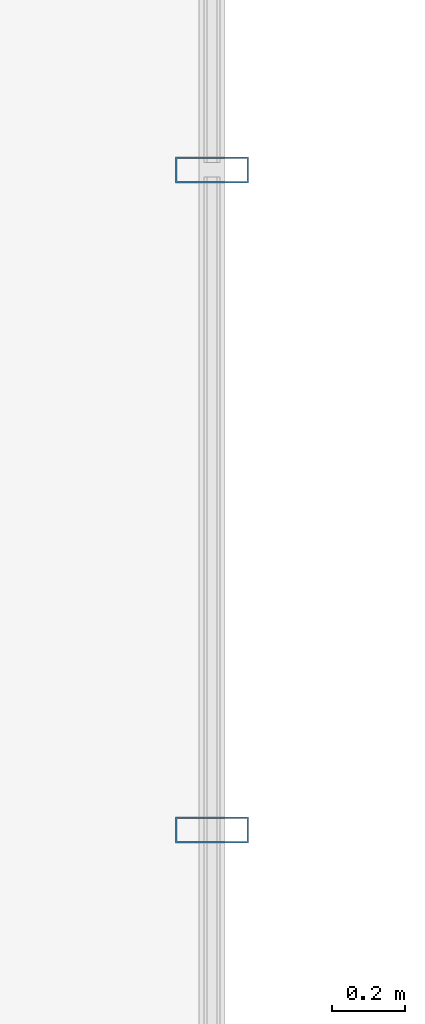
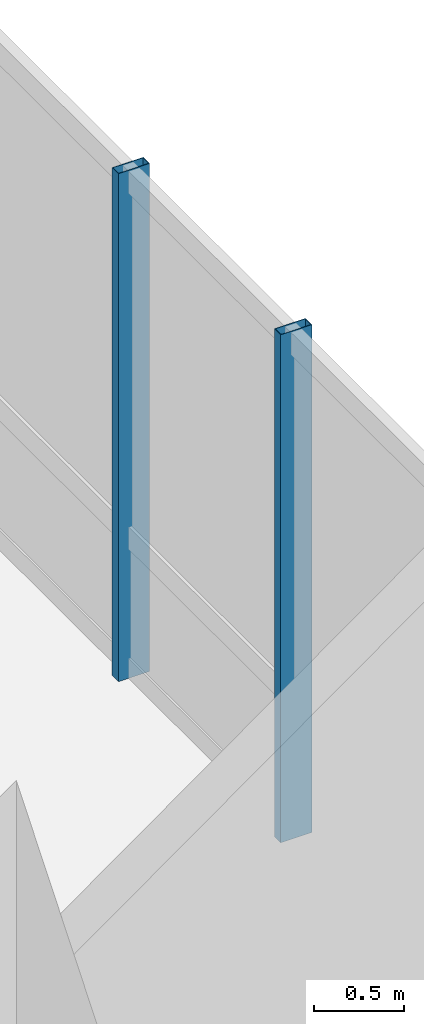
# One storey, part 10 of 24: 2 members, 1 element without a shape of its own.
"""IFC4 building model written with IfcOpenShell, lengths in metres."""

from ifc_helpers import new_model, si_unit, direction, frame, origin, origin_2d, place, context, subcontext, project, spatial, hollow_rectangle, extrude, source, transform, mapped, material, layer, layer_set, material_profile, profile_set, type_object, element, aggregate, save


model = new_model("IFC4")

# Units and contexts
model_context = context("Model", 3, precision=1e-05, world=origin(), true_north=direction((0.0, 1.0)))
body_context = subcontext(model_context, "Body", "Model", "MODEL_VIEW")
ifc_project = project(units=[si_unit("LENGTHUNIT", "METRE"), si_unit("AREAUNIT", "SQUARE_METRE"), si_unit("VOLUMEUNIT", "CUBIC_METRE"), si_unit("PLANEANGLEUNIT", "RADIAN"), si_unit("MASSUNIT", "GRAM", prefix="KILO")], contexts=[model_context])

# Site, building, storey
site_placement = place(None, origin())
site = spatial("IfcSite", under=ifc_project, at=site_placement, CompositionType="ELEMENT")
building_placement = place(site_placement, origin())
building = spatial("IfcBuilding", under=site, at=building_placement, Name="Kaliganga Portal Commons", CompositionType="ELEMENT")
storey_placement = place(building_placement, frame((0.0, 0.0, 238.800048828125)))
storey = spatial("IfcBuildingStorey", under=building, at=storey_placement, Name="L61", CompositionType="ELEMENT", Elevation=238.800048828125)

# Curtain wall, members
ifc_material_1 = material(Name="Anodized Aluminium and Laminated Low-E Glass", Category="aluminium")
ifc_layer = layer(ifc_material_1, 0.239990234375)
ifc_layer_set = layer_set([ifc_layer], Name="Anodized Aluminium and Laminated Low-E Glass")
curtain_wall_type = type_object("IfcCurtainWallType", Name="CW-SYS-04", PredefinedType="NOTDEFINED", material=ifc_layer_set)
curtain_wall_placement = place(storey_placement, origin())
curtain_wall = element("IfcCurtainWall", 1, at=curtain_wall_placement, inside=storey, type_object=curtain_wall_type, Name="CW 04 L61 P1E01S1", PredefinedType="NOTDEFINED")
ifc_material_2 = material(Name="Dark Bronze Anodized Aluminium", Category="aluminium")
ifc_material_profile = material_profile(ifc_material_2, hollow_rectangle(XDim=0.070068359375, YDim=0.199951171875, WallThickness=0.00390625, at=origin_2d()), Name="ALU MULL 70x200x4")
ifc_profile_set = profile_set([ifc_material_profile], Name="Dark Bronze Anodized Aluminium")
member_type = type_object("IfcMemberType", Name="CW-MUL-220", PredefinedType="MULLION", material=ifc_profile_set)
shared_shape = source(origin(), body_context, "Body", "SweptSolid", [
    extrude(hollow_rectangle(XDim=0.070068359375, YDim=0.199951171875, WallThickness=0.00390625, at=origin_2d()), origin(), (0.0, 0.0, 1.0), 3.43994140625),
])
member_1_placement = place(storey_placement, frame((39.10009765625, 30.60009765625, 0.0), z_axis=(0.0, 0.0, 1.0), x_axis=(0.0, 1.0, 0.0)))
member_1 = element("IfcMember", 2, at=member_1_placement, type_object=member_type, Name="CW:04:L61:P1E01S1 Mullion 05", PredefinedType="MULLION", context=body_context, shape_type="MappedRepresentation", body=[
    mapped(shared_shape, transform((0.0, 0.0, 0.0), x_axis=(1.0, 0.0, 0.0), y_axis=(0.0, 1.0, 0.0), z_axis=(0.0, 0.0, 1.0), scale=1.0)),
])
member_2_placement = place(storey_placement, frame((39.10009765625, 32.39990234375, 0.0), z_axis=(0.0, 0.0, 1.0), x_axis=(0.0, 1.0, 0.0)))
member_2 = element("IfcMember", 3, at=member_2_placement, type_object=member_type, Name="CW:04:L61:P1E01S1 Mullion 06", PredefinedType="MULLION", context=body_context, shape_type="MappedRepresentation", body=[
    mapped(shared_shape, transform((0.0, 0.0, 0.0), x_axis=(1.0, 0.0, 0.0), y_axis=(0.0, 1.0, 0.0), z_axis=(0.0, 0.0, 1.0), scale=1.0)),
])
aggregate(curtain_wall, [member_1, member_2])

save(model, "model.ifc")
